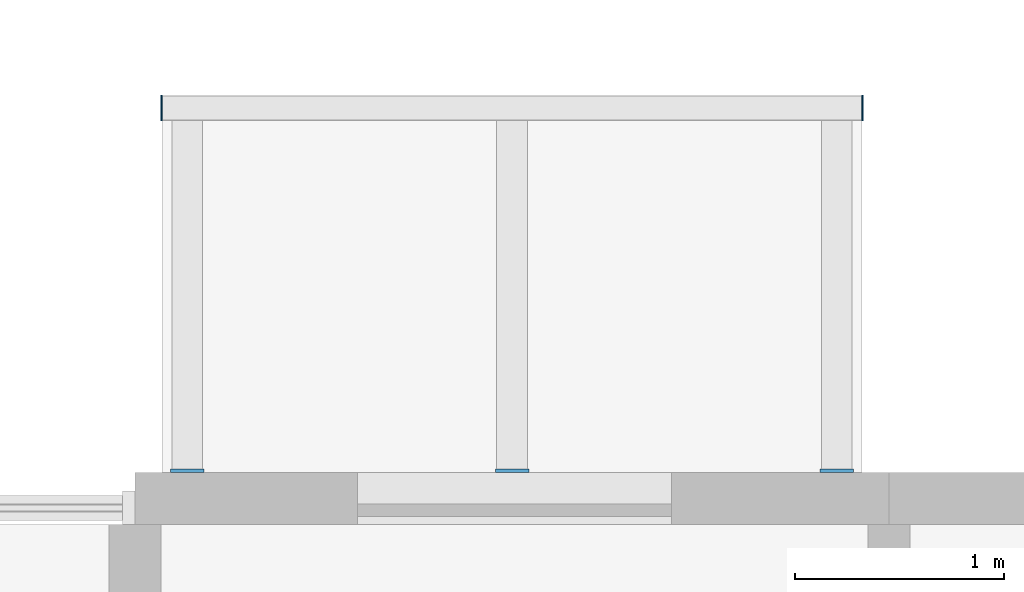
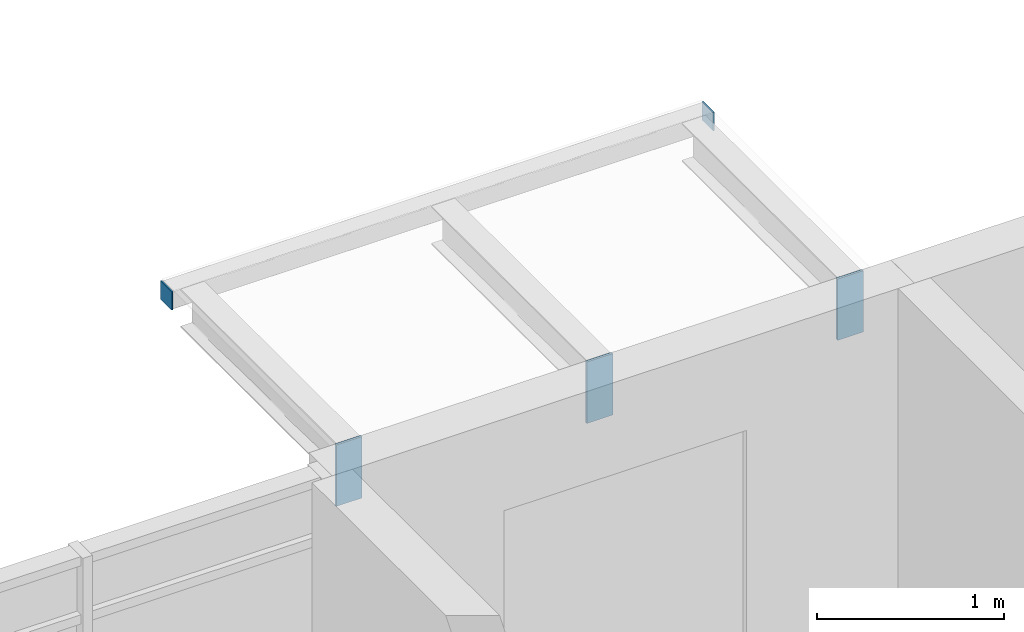
# One storey, part 76 of 99: 5 discrete accessories.
"""IFC4 building model written with IfcOpenShell, lengths in metres."""

from ifc_helpers import new_model, si_unit, direction, frame, origin, origin_2d, place, context, subcontext, project, spatial, rectangle, extrude, material, layer, layer_set, type_object, element, save


model = new_model("IFC4")

# Units and contexts
model_context = context("Model", 3, precision=1e-05, world=origin(), true_north=direction((0.0, 1.0)))
body_context = subcontext(model_context, "Body", "Model", "MODEL_VIEW")
ifc_project = project(units=[si_unit("LENGTHUNIT", "METRE"), si_unit("AREAUNIT", "SQUARE_METRE"), si_unit("VOLUMEUNIT", "CUBIC_METRE"), si_unit("PLANEANGLEUNIT", "RADIAN"), si_unit("MASSUNIT", "GRAM", prefix="KILO")], contexts=[model_context])

# Site, building, storey
site_placement = place(None, origin())
site = spatial("IfcSite", under=ifc_project, at=site_placement, CompositionType="ELEMENT")
building_placement = place(site_placement, origin())
building = spatial("IfcBuilding", under=site, at=building_placement, Name="Ridgestep Commons", CompositionType="ELEMENT")
storey_placement = place(building_placement, frame((0.0, 0.0, 15.0)))
storey = spatial("IfcBuildingStorey", under=building, at=storey_placement, Name="L05", CompositionType="ELEMENT", Elevation=15.0)

# Discrete accessories
ifc_material_1 = material(Name="Weathering steel S355J2W", Category="steel")
ifc_layer_1 = layer(ifc_material_1, 0.014892578125)
ifc_layer_set_1 = layer_set([ifc_layer_1], Name="Tray bracket plate 15")
discrete_accessory_type_1 = type_object("IfcDiscreteAccessoryType", Name="Tray bracket plate 15", PredefinedType="BRACKET", material=ifc_layer_set_1)
for number, where, z_axis, x_axis, name in (
    (1, (237.050048828125, 77.257568359375, 2.588623046875), (0.0, 0.0, 1.0), (1.0, 0.0, 0.0), "Tray bracket C6T3-06.1"),
    (2, (238.60009765625, 77.257568359375, 2.588623046875), (0.0, 0.0, 1.0), (1.0, 0.0, 0.0), "Tray bracket C6T3-06.2"),
    (3, (240.14990234375, 77.257568359375, 2.588623046875), (0.0, 0.0, 1.0), (1.0, 0.0, 0.0), "Tray bracket C6T3-06.3"),
):
    element("IfcDiscreteAccessory", number, at=place(storey_placement, frame(where, z_axis=z_axis, x_axis=x_axis)), inside=storey, type_object=discrete_accessory_type_1, Name=name, PredefinedType="BRACKET", context=body_context, shape_type="SweptSolid", body=[
        extrude(rectangle(XDim=0.159912109375, YDim=0.014892578125, at=origin_2d()), origin(), (0.0, 0.0, 1.0), 0.4013671875),
    ])
ifc_material_2 = material(Name="Weathering steel S355J2W", Category="steel")
ifc_layer_2 = layer(ifc_material_2, 0.008056640625)
ifc_layer_set_2 = layer_set([ifc_layer_2], Name="Tray edge member end plate 120 x 120 x 8")
discrete_accessory_type_2 = type_object("IfcDiscreteAccessoryType", Name="Tray edge member end plate 120 x 120 x 8", PredefinedType="BRACKET", material=ifc_layer_set_2)
for number, where, z_axis, x_axis, name in (
    (4, (236.926025390625, 78.989990234375, 2.869873046875), (0.0, 0.0, 1.0), (1.0, 0.0, 0.0), "Tray edge member end plate C6T3-06 west"),
    (5, (240.27392578125, 78.989990234375, 2.869873046875), (0.0, 0.0, 1.0), (1.0, 0.0, 0.0), "Tray edge member end plate C6T3-06 east"),
):
    element("IfcDiscreteAccessory", number, at=place(storey_placement, frame(where, z_axis=z_axis, x_axis=x_axis)), inside=storey, type_object=discrete_accessory_type_2, Name=name, PredefinedType="BRACKET", context=body_context, shape_type="SweptSolid", body=[
        extrude(rectangle(XDim=0.008056640625, YDim=0.1201171875, at=origin_2d()), origin(), (0.0, 0.0, 1.0), 0.1201171875),
    ])

save(model, "model.ifc")
